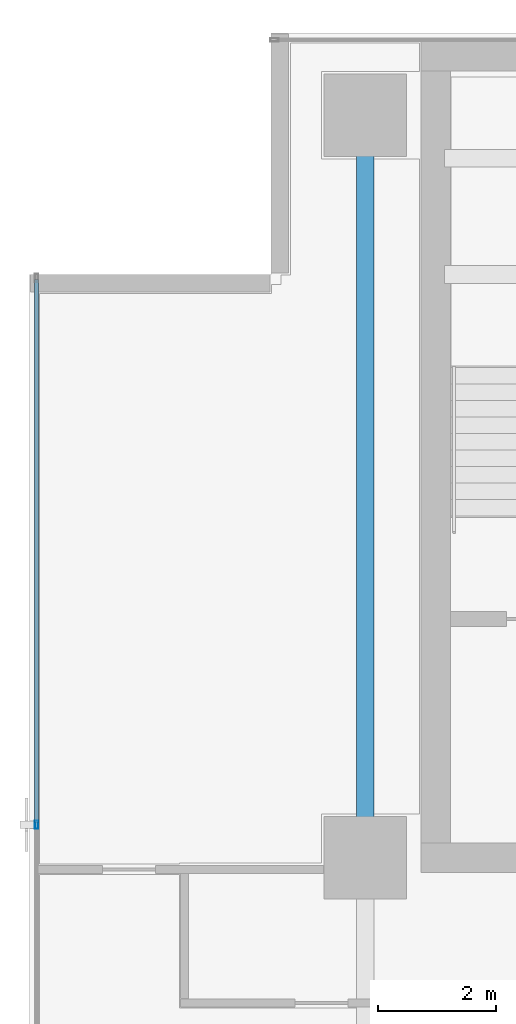
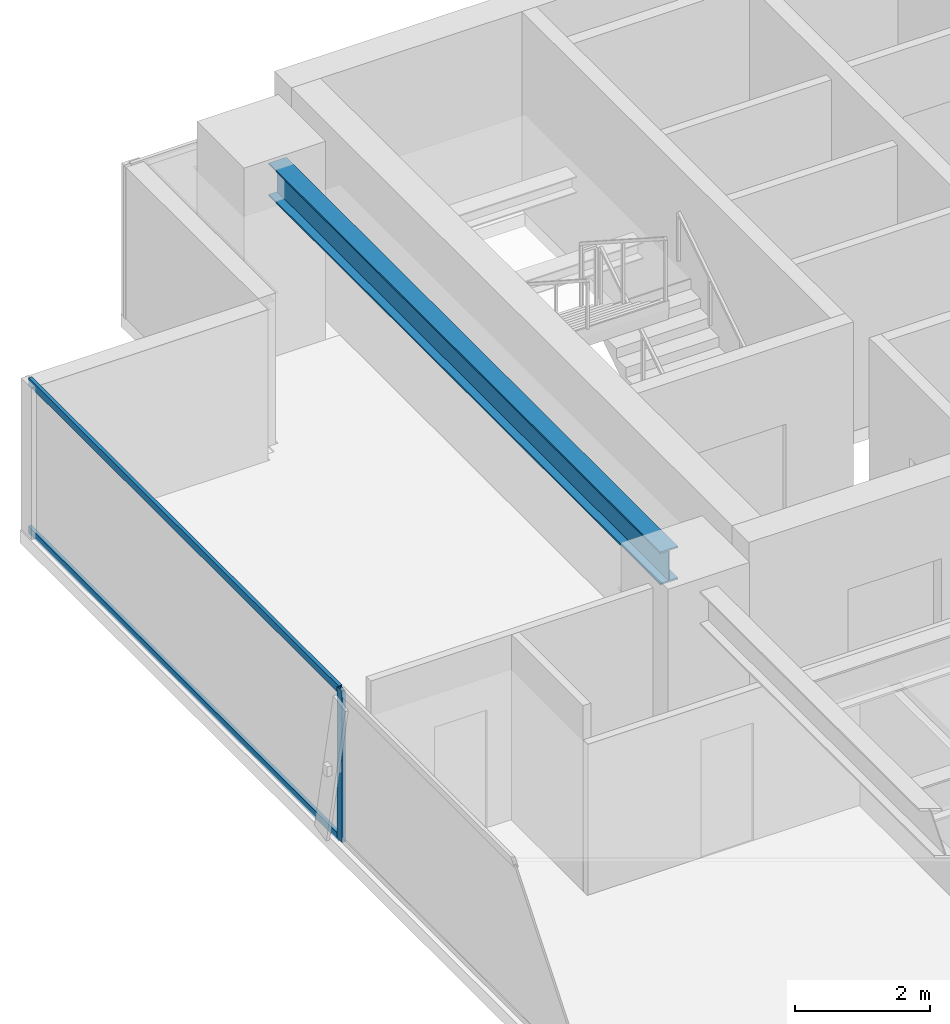
# One storey, part 9 of 26: 3 members, 1 beam, 1 element without a shape of its own.
"""IFC4 building model written with IfcOpenShell, lengths in metres."""

from ifc_helpers import new_model, si_unit, direction, frame, origin, origin_2d, place, context, subcontext, project, spatial, hollow_rectangle, i_section, extrude, source, transform, mapped, material, layer, layer_set, material_profile, profile_set, type_object, element, aggregate, save


model = new_model("IFC4")

# Units and contexts
model_context = context("Model", 3, precision=1e-05, world=origin(), true_north=direction((0.0, 1.0)))
body_context = subcontext(model_context, "Body", "Model", "MODEL_VIEW")
ifc_project = project(units=[si_unit("LENGTHUNIT", "METRE"), si_unit("AREAUNIT", "SQUARE_METRE"), si_unit("VOLUMEUNIT", "CUBIC_METRE"), si_unit("PLANEANGLEUNIT", "RADIAN"), si_unit("MASSUNIT", "GRAM", prefix="KILO")], contexts=[model_context])

# Site, building, storey
site_placement = place(None, origin())
site = spatial("IfcSite", under=ifc_project, at=site_placement, CompositionType="ELEMENT")
building_placement = place(site_placement, origin())
building = spatial("IfcBuilding", under=site, at=building_placement, Name="Sumidabori Civic Tower", CompositionType="ELEMENT")
storey_placement = place(building_placement, frame((0.0, 0.0, 236.0)))
storey = spatial("IfcBuildingStorey", under=building, at=storey_placement, Name="L61", CompositionType="ELEMENT", Elevation=236.0)

# Beam
ifc_material_1 = material(Name="Steel SN490", Category="steel")
ifc_material_profile_1 = material_profile(ifc_material_1, i_section(OverallWidth=0.300048828125, OverallDepth=0.60009765625, WebThickness=0.015380859375, FlangeThickness=0.030029296875, at=origin_2d()), Name="HE 600 B")
ifc_profile_set_1 = profile_set([ifc_material_profile_1], Name="Steel SN490")
beam_type = type_object("IfcBeamType", Name="BM-GIRD-600", PredefinedType="BEAM", material=ifc_profile_set_1)
shared_shape_1 = source(origin(), body_context, "Body", "SweptSolid", [
    extrude(i_section(OverallWidth=0.300048828125, OverallDepth=0.60009765625, WebThickness=0.015380859375, FlangeThickness=0.030029296875, at=origin_2d()), origin(), (0.0, 0.0, 1.0), 11.64013671875),
])
beam_placement = place(storey_placement, frame((-16.800048828125, 10.679931640625, 3.070068359375), z_axis=(0.0, 1.0, 0.0), x_axis=(-1.0, 0.0, 0.0)))
element("IfcBeam", 1, at=beam_placement, inside=storey, type_object=beam_type, Name="Primary Girder L61 GY-11", PredefinedType="BEAM", context=body_context, shape_type="MappedRepresentation", body=[
    mapped(shared_shape_1, transform((0.0, 0.0, 0.0), x_axis=(1.0, 0.0, 0.0), y_axis=(0.0, 1.0, 0.0), z_axis=(0.0, 0.0, 1.0), scale=1.0)),
])

# Curtain wall, members
ifc_material_2 = material(Name="Anodised Bronze Aluminium AW-6063-T6", Category="aluminium")
ifc_layer = layer(ifc_material_2, 0.179931640625, Name="Anodised Bronze Aluminium AW-6063-T6")
ifc_layer_set = layer_set([ifc_layer], Name="Anodised Bronze Aluminium AW-6063-T6")
curtain_wall_type = type_object("IfcCurtainWallType", Name="CW-SYS-5", PredefinedType="NOTDEFINED", material=ifc_layer_set)
curtain_wall_placement = place(storey_placement, origin())
curtain_wall = element("IfcCurtainWall", 2, at=curtain_wall_placement, inside=storey, type_object=curtain_wall_type, Name="Curtain Wall CW:L61:R10", PredefinedType="NOTDEFINED")
ifc_material_profile_2 = material_profile(ifc_material_2, hollow_rectangle(XDim=0.06005859375, YDim=0.139892578125, WallThickness=0.0048828125, at=origin_2d()), Name="ALU MULLION 140x60")
ifc_profile_set_2 = profile_set([ifc_material_profile_2], Name="Anodised Bronze Aluminium AW-6063-T6")
member_type_1 = type_object("IfcMemberType", Name="CW-MUL-140", PredefinedType="MULLION", material=ifc_profile_set_2)
shared_shape_2 = source(origin(), body_context, "Body", "SweptSolid", [
    extrude(hollow_rectangle(XDim=0.06005859375, YDim=0.139892578125, WallThickness=0.0048828125, at=origin_2d()), origin(), (0.0, 0.0, 1.0), 2.75),
])
member_1_placement = place(storey_placement, frame((-22.3798828125, 10.756591796875, 0.0), z_axis=(0.0, 0.0, 1.0), x_axis=(1.0, 0.0, 0.0)))
member_1 = element("IfcMember", 3, at=member_1_placement, type_object=member_type_1, Name="CW-5 mullion 2", PredefinedType="MULLION", context=body_context, shape_type="MappedRepresentation", body=[
    mapped(shared_shape_2, transform((0.0, 0.0, 0.0), x_axis=(1.0, 0.0, 0.0), y_axis=(0.0, 1.0, 0.0), z_axis=(0.0, 0.0, 1.0), scale=1.0)),
])
ifc_material_profile_3 = material_profile(ifc_material_2, hollow_rectangle(XDim=0.06005859375, YDim=0.1298828125, WallThickness=0.0048828125, at=origin_2d()), Name="ALU TRANSOM 130x60")
ifc_profile_set_3 = profile_set([ifc_material_profile_3], Name="Anodised Bronze Aluminium AW-6063-T6")
member_type_2 = type_object("IfcMemberType", Name="CW-TRN-130", PredefinedType="USERDEFINED", material=ifc_profile_set_3)
shared_shape_3 = source(origin(), body_context, "Body", "SweptSolid", [
    extrude(hollow_rectangle(XDim=0.06005859375, YDim=0.1298828125, WallThickness=0.0048828125, at=origin_2d()), origin(), (0.0, 0.0, 1.0), 9.223388671875),
])
member_2_placement = place(storey_placement, frame((-22.3798828125, 20.010009765625, 0.030029296875), z_axis=(0.0, -1.0, 0.0), x_axis=(1.0, 0.0, 0.0)))
member_2 = element("IfcMember", 4, at=member_2_placement, type_object=member_type_2, Name="CW-5 transom 1.1", ObjectType="TRANSOM", PredefinedType="USERDEFINED", context=body_context, shape_type="MappedRepresentation", body=[
    mapped(shared_shape_3, transform((0.0, 0.0, 0.0), x_axis=(1.0, 0.0, 0.0), y_axis=(0.0, 1.0, 0.0), z_axis=(0.0, 0.0, 1.0), scale=1.0)),
])
member_3_placement = place(storey_placement, frame((-22.3798828125, 20.010009765625, 2.719970703125), z_axis=(0.0, -1.0, 0.0), x_axis=(1.0, 0.0, 0.0)))
member_3 = element("IfcMember", 5, at=member_3_placement, type_object=member_type_2, Name="CW-5 transom 1.2", ObjectType="TRANSOM", PredefinedType="USERDEFINED", context=body_context, shape_type="MappedRepresentation", body=[
    mapped(shared_shape_3, transform((0.0, 0.0, 0.0), x_axis=(1.0, 0.0, 0.0), y_axis=(0.0, 1.0, 0.0), z_axis=(0.0, 0.0, 1.0), scale=1.0)),
])
aggregate(curtain_wall, [member_1, member_2, member_3])

save(model, "model.ifc")
